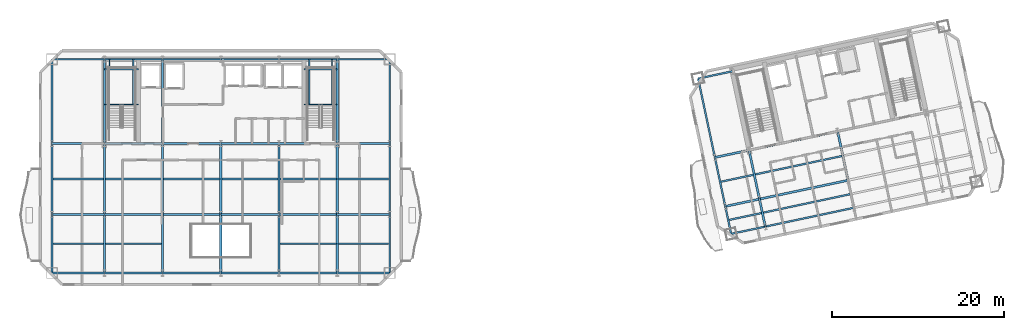
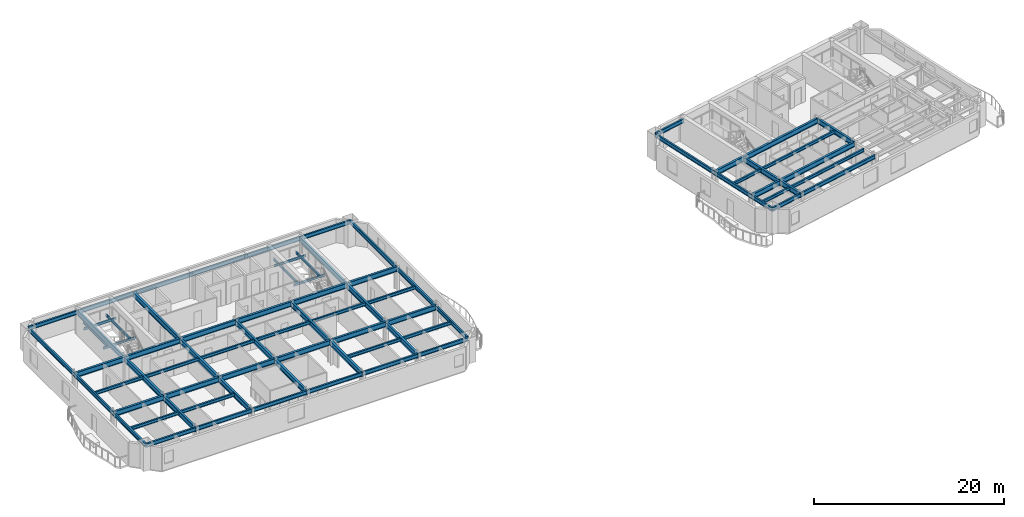
# One storey, part 3 of 14: 78 beams.
"""IFC4 building model written with IfcOpenShell, lengths in metres."""

from ifc_helpers import new_model, si_unit, direction, frame, origin, origin_2d, place, context, subcontext, project, spatial, i_section, extrude, material, material_profile, profile_set, type_object, element, save


model = new_model("IFC4")

# Units and contexts
model_context = context("Model", 3, precision=1e-05, world=origin(), true_north=direction((0.0, 1.0)))
body_context = subcontext(model_context, "Body", "Model", "MODEL_VIEW")
ifc_project = project(units=[si_unit("LENGTHUNIT", "METRE"), si_unit("AREAUNIT", "SQUARE_METRE"), si_unit("VOLUMEUNIT", "CUBIC_METRE"), si_unit("PLANEANGLEUNIT", "RADIAN"), si_unit("MASSUNIT", "GRAM", prefix="KILO")], contexts=[model_context])

# Site, building, storey
site_placement = place(None, origin())
site = spatial("IfcSite", under=ifc_project, at=site_placement, CompositionType="ELEMENT")
building_placement = place(site_placement, origin())
building = spatial("IfcBuilding", under=site, at=building_placement, Name="Haevon Station Towers", CompositionType="ELEMENT")
storey_placement = place(building_placement, frame((0.0, 0.0, 169.199951171875)))
storey = spatial("IfcBuildingStorey", under=building, at=storey_placement, Name="L46", CompositionType="ELEMENT", Elevation=169.199951171875)

# Beams
ifc_material = material(Name="Steel S355", Category="steel")
ifc_material_profile_1 = material_profile(ifc_material, i_section(OverallWidth=0.25, OverallDepth=0.64990234375, WebThickness=0.012939453125, FlangeThickness=0.02197265625, at=origin_2d()), Name="H-650x250x13x22")
ifc_profile_set_1 = profile_set([ifc_material_profile_1], Name="Steel S355")
beam_type_1 = type_object("IfcBeamType", Name="BM-G650", PredefinedType="BEAM", material=ifc_profile_set_1)
beam_1_placement = place(storey_placement, frame((17.925048828125, 30.0, 2.72509765625), z_axis=(1.0, 0.0, 0.0), x_axis=(0.0, 1.0, 0.0)))
element("IfcBeam", 1, at=beam_1_placement, inside=storey, type_object=beam_type_1, Name="BM-T1U-L46-02-01", PredefinedType="BEAM", context=body_context, shape_type="SweptSolid", body=[
    extrude(i_section(OverallWidth=0.25, OverallDepth=0.64990234375, WebThickness=0.012939453125, FlangeThickness=0.02197265625, at=origin_2d()), origin(), (0.0, 0.0, 1.0), 6.074951171875),
])
for number, where, z_axis, x_axis, name in (
    (2, (24.0, 30.0, 2.72509765625), (1.0, 0.0, 0.0), (0.0, 1.0, 0.0), "BM-T1U-L46-02-02"),
    (3, (30.75, 30.0, 2.72509765625), (1.0, 0.0, 0.0), (0.0, 1.0, 0.0), "BM-T1U-L46-02-03"),
    (4, (37.5, 30.0, 2.72509765625), (1.0, 0.0, 0.0), (0.0, 1.0, 0.0), "BM-T1U-L46-02-04"),
    (5, (44.25, 30.0, 2.72509765625), (1.0, 0.0, 0.0), (0.0, 1.0, 0.0), "BM-T1U-L46-02-05"),
):
    element("IfcBeam", number, at=place(storey_placement, frame(where, z_axis=z_axis, x_axis=x_axis)), inside=storey, type_object=beam_type_1, Name=name, PredefinedType="BEAM", context=body_context, shape_type="SweptSolid", body=[
        extrude(i_section(OverallWidth=0.25, OverallDepth=0.64990234375, WebThickness=0.012939453125, FlangeThickness=0.02197265625, at=origin_2d()), origin(), (0.0, 0.0, 1.0), 6.75),
    ])
for number, where, z_axis, x_axis, name in (
    (6, (51.0, 30.0, 2.72509765625), (1.0, 0.0, 0.0), (0.0, 1.0, 0.0), "BM-T1U-L46-02-06"),
    (7, (17.925048828125, 38.199951171875, 2.72509765625), (1.0, 0.0, 0.0), (0.0, 1.0, 0.0), "BM-T1U-L46-03-01"),
):
    element("IfcBeam", number, at=place(storey_placement, frame(where, z_axis=z_axis, x_axis=x_axis)), inside=storey, type_object=beam_type_1, Name=name, PredefinedType="BEAM", context=body_context, shape_type="SweptSolid", body=[
        extrude(i_section(OverallWidth=0.25, OverallDepth=0.64990234375, WebThickness=0.012939453125, FlangeThickness=0.02197265625, at=origin_2d()), origin(), (0.0, 0.0, 1.0), 6.074951171875),
    ])
for number, where, z_axis, x_axis, name in (
    (8, (24.0, 38.199951171875, 2.72509765625), (1.0, 0.0, 0.0), (0.0, 1.0, 0.0), "BM-T1U-L46-03-02"),
    (9, (30.75, 38.199951171875, 2.72509765625), (1.0, 0.0, 0.0), (0.0, 1.0, 0.0), "BM-T1U-L46-03-03"),
    (10, (37.5, 38.199951171875, 2.72509765625), (1.0, 0.0, 0.0), (0.0, 1.0, 0.0), "BM-T1U-L46-03-04"),
    (11, (44.25, 38.199951171875, 2.72509765625), (1.0, 0.0, 0.0), (0.0, 1.0, 0.0), "BM-T1U-L46-03-05"),
):
    element("IfcBeam", number, at=place(storey_placement, frame(where, z_axis=z_axis, x_axis=x_axis)), inside=storey, type_object=beam_type_1, Name=name, PredefinedType="BEAM", context=body_context, shape_type="SweptSolid", body=[
        extrude(i_section(OverallWidth=0.25, OverallDepth=0.64990234375, WebThickness=0.012939453125, FlangeThickness=0.02197265625, at=origin_2d()), origin(), (0.0, 0.0, 1.0), 6.75),
    ])
beam_2_placement = place(storey_placement, frame((51.0, 38.199951171875, 2.72509765625), z_axis=(1.0, 0.0, 0.0), x_axis=(0.0, 1.0, 0.0)))
element("IfcBeam", 12, at=beam_2_placement, inside=storey, type_object=beam_type_1, Name="BM-T1U-L46-03-06", PredefinedType="BEAM", context=body_context, shape_type="SweptSolid", body=[
    extrude(i_section(OverallWidth=0.25, OverallDepth=0.64990234375, WebThickness=0.012939453125, FlangeThickness=0.02197265625, at=origin_2d()), origin(), (0.0, 0.0, 1.0), 6.074951171875),
])
beam_3_placement = place(storey_placement, frame((24.0, 23.199951171875, 2.72509765625), z_axis=(0.0, 1.0, 0.0), x_axis=(-1.0, 0.0, 0.0)))
element("IfcBeam", 13, at=beam_3_placement, inside=storey, type_object=beam_type_1, Name="BM-T1V-L46-02-01", PredefinedType="BEAM", context=body_context, shape_type="SweptSolid", body=[
    extrude(i_section(OverallWidth=0.25, OverallDepth=0.64990234375, WebThickness=0.012939453125, FlangeThickness=0.02197265625, at=origin_2d()), origin(), (0.0, 0.0, 1.0), 6.800048828125),
])
beam_4_placement = place(storey_placement, frame((24.0, 30.0, 2.72509765625), z_axis=(0.0, 1.0, 0.0), x_axis=(-1.0, 0.0, 0.0)))
element("IfcBeam", 14, at=beam_4_placement, inside=storey, type_object=beam_type_1, Name="BM-T1V-L46-02-02", PredefinedType="BEAM", context=body_context, shape_type="SweptSolid", body=[
    extrude(i_section(OverallWidth=0.25, OverallDepth=0.64990234375, WebThickness=0.012939453125, FlangeThickness=0.02197265625, at=origin_2d()), origin(), (0.0, 0.0, 1.0), 8.199951171875),
])
beam_5_placement = place(storey_placement, frame((24.0, 38.199951171875, 2.72509765625), z_axis=(0.0, 1.0, 0.0), x_axis=(-1.0, 0.0, 0.0)))
element("IfcBeam", 15, at=beam_5_placement, inside=storey, type_object=beam_type_1, Name="BM-T1V-L46-02-03", PredefinedType="BEAM", context=body_context, shape_type="SweptSolid", body=[
    extrude(i_section(OverallWidth=0.25, OverallDepth=0.64990234375, WebThickness=0.012939453125, FlangeThickness=0.02197265625, at=origin_2d()), origin(), (0.0, 0.0, 1.0), 9.800048828125),
])
beam_6_placement = place(storey_placement, frame((30.75, 23.199951171875, 2.72509765625), z_axis=(0.0, 1.0, 0.0), x_axis=(-1.0, 0.0, 0.0)))
element("IfcBeam", 16, at=beam_6_placement, inside=storey, type_object=beam_type_1, Name="BM-T1V-L46-03-01", PredefinedType="BEAM", context=body_context, shape_type="SweptSolid", body=[
    extrude(i_section(OverallWidth=0.25, OverallDepth=0.64990234375, WebThickness=0.012939453125, FlangeThickness=0.02197265625, at=origin_2d()), origin(), (0.0, 0.0, 1.0), 6.800048828125),
])
beam_7_placement = place(storey_placement, frame((30.75, 30.0, 2.72509765625), z_axis=(0.0, 1.0, 0.0), x_axis=(-1.0, 0.0, 0.0)))
element("IfcBeam", 17, at=beam_7_placement, inside=storey, type_object=beam_type_1, Name="BM-T1V-L46-03-02", PredefinedType="BEAM", context=body_context, shape_type="SweptSolid", body=[
    extrude(i_section(OverallWidth=0.25, OverallDepth=0.64990234375, WebThickness=0.012939453125, FlangeThickness=0.02197265625, at=origin_2d()), origin(), (0.0, 0.0, 1.0), 8.199951171875),
])
beam_8_placement = place(storey_placement, frame((30.75, 38.199951171875, 2.72509765625), z_axis=(0.0, 1.0, 0.0), x_axis=(-1.0, 0.0, 0.0)))
element("IfcBeam", 18, at=beam_8_placement, inside=storey, type_object=beam_type_1, Name="BM-T1V-L46-03-03", PredefinedType="BEAM", context=body_context, shape_type="SweptSolid", body=[
    extrude(i_section(OverallWidth=0.25, OverallDepth=0.64990234375, WebThickness=0.012939453125, FlangeThickness=0.02197265625, at=origin_2d()), origin(), (0.0, 0.0, 1.0), 9.800048828125),
])
beam_9_placement = place(storey_placement, frame((37.5, 23.199951171875, 2.72509765625), z_axis=(0.0, 1.0, 0.0), x_axis=(-1.0, 0.0, 0.0)))
element("IfcBeam", 19, at=beam_9_placement, inside=storey, type_object=beam_type_1, Name="BM-T1V-L46-04-01", PredefinedType="BEAM", context=body_context, shape_type="SweptSolid", body=[
    extrude(i_section(OverallWidth=0.25, OverallDepth=0.64990234375, WebThickness=0.012939453125, FlangeThickness=0.02197265625, at=origin_2d()), origin(), (0.0, 0.0, 1.0), 6.800048828125),
])
beam_10_placement = place(storey_placement, frame((37.5, 30.0, 2.72509765625), z_axis=(0.0, 1.0, 0.0), x_axis=(-1.0, 0.0, 0.0)))
element("IfcBeam", 20, at=beam_10_placement, inside=storey, type_object=beam_type_1, Name="BM-T1V-L46-04-02", PredefinedType="BEAM", context=body_context, shape_type="SweptSolid", body=[
    extrude(i_section(OverallWidth=0.25, OverallDepth=0.64990234375, WebThickness=0.012939453125, FlangeThickness=0.02197265625, at=origin_2d()), origin(), (0.0, 0.0, 1.0), 8.199951171875),
])
beam_11_placement = place(storey_placement, frame((44.25, 23.199951171875, 2.72509765625), z_axis=(0.0, 1.0, 0.0), x_axis=(-1.0, 0.0, 0.0)))
element("IfcBeam", 21, at=beam_11_placement, inside=storey, type_object=beam_type_1, Name="BM-T1V-L46-05-01", PredefinedType="BEAM", context=body_context, shape_type="SweptSolid", body=[
    extrude(i_section(OverallWidth=0.25, OverallDepth=0.64990234375, WebThickness=0.012939453125, FlangeThickness=0.02197265625, at=origin_2d()), origin(), (0.0, 0.0, 1.0), 6.800048828125),
])
beam_12_placement = place(storey_placement, frame((44.25, 30.0, 2.72509765625), z_axis=(0.0, 1.0, 0.0), x_axis=(-1.0, 0.0, 0.0)))
element("IfcBeam", 22, at=beam_12_placement, inside=storey, type_object=beam_type_1, Name="BM-T1V-L46-05-02", PredefinedType="BEAM", context=body_context, shape_type="SweptSolid", body=[
    extrude(i_section(OverallWidth=0.25, OverallDepth=0.64990234375, WebThickness=0.012939453125, FlangeThickness=0.02197265625, at=origin_2d()), origin(), (0.0, 0.0, 1.0), 8.199951171875),
])
beam_13_placement = place(storey_placement, frame((51.0, 23.199951171875, 2.72509765625), z_axis=(0.0, 1.0, 0.0), x_axis=(-1.0, 0.0, 0.0)))
element("IfcBeam", 23, at=beam_13_placement, inside=storey, type_object=beam_type_1, Name="BM-T1V-L46-06-01", PredefinedType="BEAM", context=body_context, shape_type="SweptSolid", body=[
    extrude(i_section(OverallWidth=0.25, OverallDepth=0.64990234375, WebThickness=0.012939453125, FlangeThickness=0.02197265625, at=origin_2d()), origin(), (0.0, 0.0, 1.0), 6.800048828125),
])
beam_14_placement = place(storey_placement, frame((51.0, 30.0, 2.72509765625), z_axis=(0.0, 1.0, 0.0), x_axis=(-1.0, 0.0, 0.0)))
element("IfcBeam", 24, at=beam_14_placement, inside=storey, type_object=beam_type_1, Name="BM-T1V-L46-06-02", PredefinedType="BEAM", context=body_context, shape_type="SweptSolid", body=[
    extrude(i_section(OverallWidth=0.25, OverallDepth=0.64990234375, WebThickness=0.012939453125, FlangeThickness=0.02197265625, at=origin_2d()), origin(), (0.0, 0.0, 1.0), 8.199951171875),
])
beam_15_placement = place(storey_placement, frame((51.0, 38.199951171875, 2.72509765625), z_axis=(0.0, 1.0, 0.0), x_axis=(-1.0, 0.0, 0.0)))
element("IfcBeam", 25, at=beam_15_placement, inside=storey, type_object=beam_type_1, Name="BM-T1V-L46-06-03", PredefinedType="BEAM", context=body_context, shape_type="SweptSolid", body=[
    extrude(i_section(OverallWidth=0.25, OverallDepth=0.64990234375, WebThickness=0.012939453125, FlangeThickness=0.02197265625, at=origin_2d()), origin(), (0.0, 0.0, 1.0), 9.800048828125),
])
beam_16_placement = place(storey_placement, frame((95.996826171875, 30.927001953125, 2.72509765625), z_axis=(0.978146899108, 0.207914991681, 0.0), x_axis=(-0.207914991681, 0.978146899108, 0.0)))
element("IfcBeam", 26, at=beam_16_placement, inside=storey, type_object=beam_type_1, Name="BM-T2U-L46-02-01", PredefinedType="BEAM", context=body_context, shape_type="SweptSolid", body=[
    extrude(i_section(OverallWidth=0.25, OverallDepth=0.64990234375, WebThickness=0.012939453125, FlangeThickness=0.02197265625, at=origin_2d()), origin(), (0.0, 0.0, 1.0), 4.050048828125),
])
beam_17_placement = place(storey_placement, frame((99.958251953125, 31.76904296875, 2.72509765625), z_axis=(0.978146794194, 0.207915485254, 0.0), x_axis=(-0.207915485254, 0.978146794194, 0.0)))
element("IfcBeam", 27, at=beam_17_placement, inside=storey, type_object=beam_type_1, Name="BM-T2U-L46-02-02", PredefinedType="BEAM", context=body_context, shape_type="SweptSolid", body=[
    extrude(i_section(OverallWidth=0.25, OverallDepth=0.64990234375, WebThickness=0.012939453125, FlangeThickness=0.02197265625, at=origin_2d()), origin(), (0.0, 0.0, 1.0), 10.5),
])
beam_18_placement = place(storey_placement, frame((94.790771484375, 36.600341796875, 2.72509765625), z_axis=(0.978149504816, 0.207902732613, 0.0), x_axis=(-0.207902732613, 0.978149504816, 0.0)))
element("IfcBeam", 28, at=beam_18_placement, inside=storey, type_object=beam_type_1, Name="BM-T2U-L46-03-01", PredefinedType="BEAM", context=body_context, shape_type="SweptSolid", body=[
    extrude(i_section(OverallWidth=0.25, OverallDepth=0.64990234375, WebThickness=0.012939453125, FlangeThickness=0.02197265625, at=origin_2d()), origin(), (0.0, 0.0, 1.0), 4.050048828125),
])
beam_19_placement = place(storey_placement, frame((98.75244140625, 37.4423828125, 2.72509765625), z_axis=(0.978146794194, 0.207915485254, 0.0), x_axis=(-0.207915485254, 0.978146794194, 0.0)))
element("IfcBeam", 29, at=beam_19_placement, inside=storey, type_object=beam_type_1, Name="BM-T2U-L46-03-02", PredefinedType="BEAM", context=body_context, shape_type="SweptSolid", body=[
    extrude(i_section(OverallWidth=0.25, OverallDepth=0.64990234375, WebThickness=0.012939453125, FlangeThickness=0.02197265625, at=origin_2d()), origin(), (0.0, 0.0, 1.0), 10.5),
])
beam_20_placement = place(storey_placement, frame((100.635986328125, 28.580322265625, 2.72509765625), z_axis=(-0.207897270364, 0.978150665785, 0.0), x_axis=(-0.978150665785, -0.207897270364, 0.0)))
element("IfcBeam", 30, at=beam_20_placement, inside=storey, type_object=beam_type_1, Name="BM-T2V-L46-02-01", PredefinedType="BEAM", context=body_context, shape_type="SweptSolid", body=[
    extrude(i_section(OverallWidth=0.25, OverallDepth=0.64990234375, WebThickness=0.012939453125, FlangeThickness=0.02197265625, at=origin_2d()), origin(), (0.0, 0.0, 1.0), 3.260009765625),
])
for number, where, z_axis, x_axis, name in (
    (31, (99.958251953125, 31.76904296875, 2.72509765625), (-0.207896009217, 0.97815093383, 0.0), (-0.97815093383, -0.207896009217, 0.0), "BM-T2V-L46-02-02"),
    (32, (110.228759765625, 33.9521484375, 2.72509765625), (-0.207896009217, 0.97815093383, 0.0), (-0.97815093383, -0.207896009217, 0.0), "BM-T2V-L46-03-02"),
):
    element("IfcBeam", number, at=place(storey_placement, frame(where, z_axis=z_axis, x_axis=x_axis)), inside=storey, type_object=beam_type_1, Name=name, PredefinedType="BEAM", context=body_context, shape_type="SweptSolid", body=[
        extrude(i_section(OverallWidth=0.25, OverallDepth=0.64990234375, WebThickness=0.012939453125, FlangeThickness=0.02197265625, at=origin_2d()), origin(), (0.0, 0.0, 1.0), 5.800048828125),
    ])
ifc_material_profile_2 = material_profile(ifc_material, i_section(OverallWidth=0.199951171875, OverallDepth=0.39990234375, WebThickness=0.008056640625, FlangeThickness=0.012939453125, at=origin_2d()), Name="H-400x200x8x13")
ifc_profile_set_2 = profile_set([ifc_material_profile_2], Name="Steel S355")
beam_type_2 = type_object("IfcBeamType", Name="BM-J400", PredefinedType="JOIST", material=ifc_profile_set_2)
beam_21_placement = place(storey_placement, frame((18.034912109375, 26.60009765625, 2.85009765625), z_axis=(1.0, 0.0, 0.0), x_axis=(0.0, 1.0, 0.0)))
element("IfcBeam", 33, at=beam_21_placement, inside=storey, type_object=beam_type_2, Name="BM-T1J-L46-01-01", PredefinedType="JOIST", context=body_context, shape_type="SweptSolid", body=[
    extrude(i_section(OverallWidth=0.199951171875, OverallDepth=0.39990234375, WebThickness=0.008056640625, FlangeThickness=0.012939453125, at=origin_2d()), origin(), (0.0, 0.0, 1.0), 5.85498046875),
])
for number, where, z_axis, x_axis, name in (
    (34, (24.110107421875, 26.60009765625, 2.85009765625), (1.0, 0.0, 0.0), (0.0, 1.0, 0.0), "BM-T1J-L46-01-02"),
    (35, (44.360107421875, 26.60009765625, 2.85009765625), (1.0, 0.0, 0.0), (0.0, 1.0, 0.0), "BM-T1J-L46-01-05"),
):
    element("IfcBeam", number, at=place(storey_placement, frame(where, z_axis=z_axis, x_axis=x_axis)), inside=storey, type_object=beam_type_2, Name=name, PredefinedType="JOIST", context=body_context, shape_type="SweptSolid", body=[
        extrude(i_section(OverallWidth=0.199951171875, OverallDepth=0.39990234375, WebThickness=0.008056640625, FlangeThickness=0.012939453125, at=origin_2d()), origin(), (0.0, 0.0, 1.0), 6.52978515625),
    ])
for number, where, z_axis, x_axis, name in (
    (36, (51.110107421875, 26.60009765625, 2.85009765625), (1.0, 0.0, 0.0), (0.0, 1.0, 0.0), "BM-T1J-L46-01-06"),
    (37, (18.034912109375, 34.10009765625, 2.85009765625), (1.0, 0.0, 0.0), (0.0, 1.0, 0.0), "BM-T1J-L46-02-01"),
):
    element("IfcBeam", number, at=place(storey_placement, frame(where, z_axis=z_axis, x_axis=x_axis)), inside=storey, type_object=beam_type_2, Name=name, PredefinedType="JOIST", context=body_context, shape_type="SweptSolid", body=[
        extrude(i_section(OverallWidth=0.199951171875, OverallDepth=0.39990234375, WebThickness=0.008056640625, FlangeThickness=0.012939453125, at=origin_2d()), origin(), (0.0, 0.0, 1.0), 5.85498046875),
    ])
for number, where, z_axis, x_axis, name in (
    (38, (24.110107421875, 34.10009765625, 2.85009765625), (1.0, 0.0, 0.0), (0.0, 1.0, 0.0), "BM-T1J-L46-02-02"),
    (39, (30.860107421875, 34.10009765625, 2.85009765625), (1.0, 0.0, 0.0), (0.0, 1.0, 0.0), "BM-T1J-L46-02-03"),
    (40, (37.610107421875, 34.10009765625, 2.85009765625), (1.0, 0.0, 0.0), (0.0, 1.0, 0.0), "BM-T1J-L46-02-04"),
    (41, (44.360107421875, 34.10009765625, 2.85009765625), (1.0, 0.0, 0.0), (0.0, 1.0, 0.0), "BM-T1J-L46-02-05"),
):
    element("IfcBeam", number, at=place(storey_placement, frame(where, z_axis=z_axis, x_axis=x_axis)), inside=storey, type_object=beam_type_2, Name=name, PredefinedType="JOIST", context=body_context, shape_type="SweptSolid", body=[
        extrude(i_section(OverallWidth=0.199951171875, OverallDepth=0.39990234375, WebThickness=0.008056640625, FlangeThickness=0.012939453125, at=origin_2d()), origin(), (0.0, 0.0, 1.0), 6.52978515625),
    ])
beam_22_placement = place(storey_placement, frame((51.110107421875, 34.10009765625, 2.85009765625), z_axis=(1.0, 0.0, 0.0), x_axis=(0.0, 1.0, 0.0)))
element("IfcBeam", 42, at=beam_22_placement, inside=storey, type_object=beam_type_2, Name="BM-T1J-L46-02-06", PredefinedType="JOIST", context=body_context, shape_type="SweptSolid", body=[
    extrude(i_section(OverallWidth=0.199951171875, OverallDepth=0.39990234375, WebThickness=0.008056640625, FlangeThickness=0.012939453125, at=origin_2d()), origin(), (0.0, 0.0, 1.0), 5.85498046875),
])
beam_23_placement = place(storey_placement, frame((96.443115234375, 29.355712890625, 2.85009765625), z_axis=(0.978156420772, 0.207870191472, 0.0), x_axis=(-0.207870191472, 0.978156420772, 0.0)))
element("IfcBeam", 43, at=beam_23_placement, inside=storey, type_object=beam_type_2, Name="BM-T2J-L46-01-01", PredefinedType="JOIST", context=body_context, shape_type="SweptSolid", body=[
    extrude(i_section(OverallWidth=0.199951171875, OverallDepth=0.39990234375, WebThickness=0.008056640625, FlangeThickness=0.012939453125, at=origin_2d()), origin(), (0.0, 0.0, 1.0), 3.830078125),
])
beam_24_placement = place(storey_placement, frame((100.40478515625, 30.19775390625, 2.85009765625), z_axis=(0.978150339653, 0.207898804801, 0.0), x_axis=(-0.207898804801, 0.978150339653, 0.0)))
element("IfcBeam", 44, at=beam_24_placement, inside=storey, type_object=beam_type_2, Name="BM-T2J-L46-01-02", PredefinedType="JOIST", context=body_context, shape_type="SweptSolid", body=[
    extrude(i_section(OverallWidth=0.199951171875, OverallDepth=0.39990234375, WebThickness=0.008056640625, FlangeThickness=0.012939453125, at=origin_2d()), origin(), (0.0, 0.0, 1.0), 10.280029296875),
])
beam_25_placement = place(storey_placement, frame((95.50146484375, 33.78662109375, 2.85009765625), z_axis=(0.97814345794, 0.207931180176, 0.0), x_axis=(-0.207931180176, 0.97814345794, 0.0)))
element("IfcBeam", 45, at=beam_25_placement, inside=storey, type_object=beam_type_2, Name="BM-T2J-L46-02-01", PredefinedType="JOIST", context=body_context, shape_type="SweptSolid", body=[
    extrude(i_section(OverallWidth=0.199951171875, OverallDepth=0.39990234375, WebThickness=0.008056640625, FlangeThickness=0.012939453125, at=origin_2d()), origin(), (0.0, 0.0, 1.0), 3.830078125),
])
beam_26_placement = place(storey_placement, frame((99.462890625, 34.628662109375, 2.85009765625), z_axis=(0.978150339653, 0.207898804801, 0.0), x_axis=(-0.207898804801, 0.978150339653, 0.0)))
element("IfcBeam", 46, at=beam_26_placement, inside=storey, type_object=beam_type_2, Name="BM-T2J-L46-02-02", PredefinedType="JOIST", context=body_context, shape_type="SweptSolid", body=[
    extrude(i_section(OverallWidth=0.199951171875, OverallDepth=0.39990234375, WebThickness=0.008056640625, FlangeThickness=0.012939453125, at=origin_2d()), origin(), (0.0, 0.0, 1.0), 10.280029296875),
])
ifc_material_profile_3 = material_profile(ifc_material, i_section(OverallWidth=0.14990234375, OverallDepth=0.300048828125, WebThickness=0.006591796875, FlangeThickness=0.009033203125, at=origin_2d()), Name="H-300x150x6.5x9")
ifc_profile_set_3 = profile_set([ifc_material_profile_3], Name="Steel S355")
beam_type_3 = type_object("IfcBeamType", Name="BM-LIN300", PredefinedType="LINTEL", material=ifc_profile_set_3)
for number, where, z_axis, x_axis, name in (
    (47, (24.0, 42.743896484375, 1.300048828125), (1.0, 0.0, 0.0), (0.0, 1.0, 0.0), "BM-ST1L-L46-1-S"),
    (48, (24.0, 46.820068359375, 1.300048828125), (1.0, 0.0, 0.0), (0.0, 1.0, 0.0), "BM-ST1L-L46-1-N"),
):
    element("IfcBeam", number, at=place(storey_placement, frame(where, z_axis=z_axis, x_axis=x_axis)), inside=storey, type_object=beam_type_3, Name=name, PredefinedType="LINTEL", context=body_context, shape_type="SweptSolid", body=[
        extrude(i_section(OverallWidth=0.14990234375, OverallDepth=0.300048828125, WebThickness=0.006591796875, FlangeThickness=0.009033203125, at=origin_2d()), origin(), (0.0, 0.0, 1.0), 3.949951171875),
    ])
for number, where, z_axis, x_axis, name in (
    (49, (24.60009765625, 42.743896484375, 1.300048828125), (0.0, 1.0, 0.0), (-1.0, 0.0, 0.0), "BM-ST1L-L46-1-W"),
    (50, (27.35009765625, 42.743896484375, 1.300048828125), (0.0, 1.0, 0.0), (-1.0, 0.0, 0.0), "BM-ST1L-L46-1-E"),
):
    element("IfcBeam", number, at=place(storey_placement, frame(where, z_axis=z_axis, x_axis=x_axis)), inside=storey, type_object=beam_type_3, Name=name, PredefinedType="LINTEL", context=body_context, shape_type="SweptSolid", body=[
        extrude(i_section(OverallWidth=0.14990234375, OverallDepth=0.300048828125, WebThickness=0.006591796875, FlangeThickness=0.009033203125, at=origin_2d()), origin(), (0.0, 0.0, 1.0), 5.256103515625),
    ])
for number, where, z_axis, x_axis, name in (
    (51, (47.14990234375, 42.743896484375, 1.300048828125), (1.0, 0.0, 0.0), (0.0, 1.0, 0.0), "BM-ST2L-L46-1-S"),
    (52, (47.14990234375, 46.820068359375, 1.300048828125), (1.0, 0.0, 0.0), (0.0, 1.0, 0.0), "BM-ST2L-L46-1-N"),
):
    element("IfcBeam", number, at=place(storey_placement, frame(where, z_axis=z_axis, x_axis=x_axis)), inside=storey, type_object=beam_type_3, Name=name, PredefinedType="LINTEL", context=body_context, shape_type="SweptSolid", body=[
        extrude(i_section(OverallWidth=0.14990234375, OverallDepth=0.300048828125, WebThickness=0.006591796875, FlangeThickness=0.009033203125, at=origin_2d()), origin(), (0.0, 0.0, 1.0), 3.85009765625),
    ])
for number, where, z_axis, x_axis, name in (
    (53, (47.75, 42.743896484375, 1.300048828125), (0.0, 1.0, 0.0), (-1.0, 0.0, 0.0), "BM-ST2L-L46-1-W"),
    (54, (50.39990234375, 42.743896484375, 1.300048828125), (0.0, 1.0, 0.0), (-1.0, 0.0, 0.0), "BM-ST2L-L46-1-E"),
):
    element("IfcBeam", number, at=place(storey_placement, frame(where, z_axis=z_axis, x_axis=x_axis)), inside=storey, type_object=beam_type_3, Name=name, PredefinedType="LINTEL", context=body_context, shape_type="SweptSolid", body=[
        extrude(i_section(OverallWidth=0.14990234375, OverallDepth=0.300048828125, WebThickness=0.006591796875, FlangeThickness=0.009033203125, at=origin_2d()), origin(), (0.0, 0.0, 1.0), 5.256103515625),
    ])
ifc_material_profile_4 = material_profile(ifc_material, i_section(OverallWidth=0.199951171875, OverallDepth=0.5, WebThickness=0.010009765625, FlangeThickness=0.01611328125, at=origin_2d()), Name="H-500x200x10x16")
ifc_profile_set_4 = profile_set([ifc_material_profile_4], Name="Steel S355")
beam_type_4 = type_object("IfcBeamType", Name="BM-SP500", PredefinedType="SPANDREL", material=ifc_profile_set_4)
beam_27_placement = place(storey_placement, frame((17.925048828125, 23.199951171875, 2.800048828125), z_axis=(1.0, 0.0, 0.0), x_axis=(0.0, 1.0, 0.0)))
element("IfcBeam", 55, at=beam_27_placement, inside=storey, type_object=beam_type_4, Name="BM-T1U-L46-01-01", PredefinedType="SPANDREL", context=body_context, shape_type="SweptSolid", body=[
    extrude(i_section(OverallWidth=0.199951171875, OverallDepth=0.5, WebThickness=0.010009765625, FlangeThickness=0.01611328125, at=origin_2d()), origin(), (0.0, 0.0, 1.0), 6.074951171875),
])
for number, where, z_axis, x_axis, name in (
    (56, (24.0, 23.199951171875, 2.800048828125), (1.0, 0.0, 0.0), (0.0, 1.0, 0.0), "BM-T1U-L46-01-02"),
    (57, (30.75, 23.199951171875, 2.800048828125), (1.0, 0.0, 0.0), (0.0, 1.0, 0.0), "BM-T1U-L46-01-03"),
    (58, (37.5, 23.199951171875, 2.800048828125), (1.0, 0.0, 0.0), (0.0, 1.0, 0.0), "BM-T1U-L46-01-04"),
    (59, (44.25, 23.199951171875, 2.800048828125), (1.0, 0.0, 0.0), (0.0, 1.0, 0.0), "BM-T1U-L46-01-05"),
):
    element("IfcBeam", number, at=place(storey_placement, frame(where, z_axis=z_axis, x_axis=x_axis)), inside=storey, type_object=beam_type_4, Name=name, PredefinedType="SPANDREL", context=body_context, shape_type="SweptSolid", body=[
        extrude(i_section(OverallWidth=0.199951171875, OverallDepth=0.5, WebThickness=0.010009765625, FlangeThickness=0.01611328125, at=origin_2d()), origin(), (0.0, 0.0, 1.0), 6.75),
    ])
for number, where, z_axis, x_axis, name in (
    (60, (51.0, 23.199951171875, 2.800048828125), (1.0, 0.0, 0.0), (0.0, 1.0, 0.0), "BM-T1U-L46-01-06"),
    (61, (17.925048828125, 48.0, 2.800048828125), (1.0, 0.0, 0.0), (0.0, 1.0, 0.0), "BM-T1U-L46-04-01"),
):
    element("IfcBeam", number, at=place(storey_placement, frame(where, z_axis=z_axis, x_axis=x_axis)), inside=storey, type_object=beam_type_4, Name=name, PredefinedType="SPANDREL", context=body_context, shape_type="SweptSolid", body=[
        extrude(i_section(OverallWidth=0.199951171875, OverallDepth=0.5, WebThickness=0.010009765625, FlangeThickness=0.01611328125, at=origin_2d()), origin(), (0.0, 0.0, 1.0), 6.074951171875),
    ])
for number, where, z_axis, x_axis, name in (
    (62, (24.0, 48.0, 2.800048828125), (1.0, 0.0, 0.0), (0.0, 1.0, 0.0), "BM-T1U-L46-04-02"),
    (63, (30.75, 48.0, 2.800048828125), (1.0, 0.0, 0.0), (0.0, 1.0, 0.0), "BM-T1U-L46-04-03"),
    (64, (37.5, 48.0, 2.800048828125), (1.0, 0.0, 0.0), (0.0, 1.0, 0.0), "BM-T1U-L46-04-04"),
    (65, (44.25, 48.0, 2.800048828125), (1.0, 0.0, 0.0), (0.0, 1.0, 0.0), "BM-T1U-L46-04-05"),
):
    element("IfcBeam", number, at=place(storey_placement, frame(where, z_axis=z_axis, x_axis=x_axis)), inside=storey, type_object=beam_type_4, Name=name, PredefinedType="SPANDREL", context=body_context, shape_type="SweptSolid", body=[
        extrude(i_section(OverallWidth=0.199951171875, OverallDepth=0.5, WebThickness=0.010009765625, FlangeThickness=0.01611328125, at=origin_2d()), origin(), (0.0, 0.0, 1.0), 6.75),
    ])
beam_28_placement = place(storey_placement, frame((51.0, 48.0, 2.800048828125), z_axis=(1.0, 0.0, 0.0), x_axis=(0.0, 1.0, 0.0)))
element("IfcBeam", 66, at=beam_28_placement, inside=storey, type_object=beam_type_4, Name="BM-T1U-L46-04-06", PredefinedType="SPANDREL", context=body_context, shape_type="SweptSolid", body=[
    extrude(i_section(OverallWidth=0.199951171875, OverallDepth=0.5, WebThickness=0.010009765625, FlangeThickness=0.01611328125, at=origin_2d()), origin(), (0.0, 0.0, 1.0), 6.074951171875),
])
beam_29_placement = place(storey_placement, frame((17.925048828125, 23.199951171875, 2.800048828125), z_axis=(0.0, 1.0, 0.0), x_axis=(-1.0, 0.0, 0.0)))
element("IfcBeam", 67, at=beam_29_placement, inside=storey, type_object=beam_type_4, Name="BM-T1V-L46-01-01", PredefinedType="SPANDREL", context=body_context, shape_type="SweptSolid", body=[
    extrude(i_section(OverallWidth=0.199951171875, OverallDepth=0.5, WebThickness=0.010009765625, FlangeThickness=0.01611328125, at=origin_2d()), origin(), (0.0, 0.0, 1.0), 6.800048828125),
])
beam_30_placement = place(storey_placement, frame((17.925048828125, 30.0, 2.800048828125), z_axis=(0.0, 1.0, 0.0), x_axis=(-1.0, 0.0, 0.0)))
element("IfcBeam", 68, at=beam_30_placement, inside=storey, type_object=beam_type_4, Name="BM-T1V-L46-01-02", PredefinedType="SPANDREL", context=body_context, shape_type="SweptSolid", body=[
    extrude(i_section(OverallWidth=0.199951171875, OverallDepth=0.5, WebThickness=0.010009765625, FlangeThickness=0.01611328125, at=origin_2d()), origin(), (0.0, 0.0, 1.0), 8.199951171875),
])
beam_31_placement = place(storey_placement, frame((17.925048828125, 38.199951171875, 2.800048828125), z_axis=(0.0, 1.0, 0.0), x_axis=(-1.0, 0.0, 0.0)))
element("IfcBeam", 69, at=beam_31_placement, inside=storey, type_object=beam_type_4, Name="BM-T1V-L46-01-03", PredefinedType="SPANDREL", context=body_context, shape_type="SweptSolid", body=[
    extrude(i_section(OverallWidth=0.199951171875, OverallDepth=0.5, WebThickness=0.010009765625, FlangeThickness=0.01611328125, at=origin_2d()), origin(), (0.0, 0.0, 1.0), 9.800048828125),
])
beam_32_placement = place(storey_placement, frame((57.074951171875, 23.199951171875, 2.800048828125), z_axis=(0.0, 1.0, 0.0), x_axis=(-1.0, 0.0, 0.0)))
element("IfcBeam", 70, at=beam_32_placement, inside=storey, type_object=beam_type_4, Name="BM-T1V-L46-07-01", PredefinedType="SPANDREL", context=body_context, shape_type="SweptSolid", body=[
    extrude(i_section(OverallWidth=0.199951171875, OverallDepth=0.5, WebThickness=0.010009765625, FlangeThickness=0.01611328125, at=origin_2d()), origin(), (0.0, 0.0, 1.0), 6.800048828125),
])
beam_33_placement = place(storey_placement, frame((57.074951171875, 30.0, 2.800048828125), z_axis=(0.0, 1.0, 0.0), x_axis=(-1.0, 0.0, 0.0)))
element("IfcBeam", 71, at=beam_33_placement, inside=storey, type_object=beam_type_4, Name="BM-T1V-L46-07-02", PredefinedType="SPANDREL", context=body_context, shape_type="SweptSolid", body=[
    extrude(i_section(OverallWidth=0.199951171875, OverallDepth=0.5, WebThickness=0.010009765625, FlangeThickness=0.01611328125, at=origin_2d()), origin(), (0.0, 0.0, 1.0), 8.199951171875),
])
beam_34_placement = place(storey_placement, frame((57.074951171875, 38.199951171875, 2.800048828125), z_axis=(0.0, 1.0, 0.0), x_axis=(-1.0, 0.0, 0.0)))
element("IfcBeam", 72, at=beam_34_placement, inside=storey, type_object=beam_type_4, Name="BM-T1V-L46-07-03", PredefinedType="SPANDREL", context=body_context, shape_type="SweptSolid", body=[
    extrude(i_section(OverallWidth=0.199951171875, OverallDepth=0.5, WebThickness=0.010009765625, FlangeThickness=0.01611328125, at=origin_2d()), origin(), (0.0, 0.0, 1.0), 9.800048828125),
])
beam_35_placement = place(storey_placement, frame((96.674560546875, 27.73828125, 2.800048828125), z_axis=(0.978146899108, 0.207914991681, 0.0), x_axis=(-0.207914991681, 0.978146899108, 0.0)))
element("IfcBeam", 73, at=beam_35_placement, inside=storey, type_object=beam_type_4, Name="BM-T2U-L46-01-01", PredefinedType="SPANDREL", context=body_context, shape_type="SweptSolid", body=[
    extrude(i_section(OverallWidth=0.199951171875, OverallDepth=0.5, WebThickness=0.010009765625, FlangeThickness=0.01611328125, at=origin_2d()), origin(), (0.0, 0.0, 1.0), 4.050048828125),
])
beam_36_placement = place(storey_placement, frame((100.635986328125, 28.580322265625, 2.800048828125), z_axis=(0.978146794194, 0.207915485254, 0.0), x_axis=(-0.207915485254, 0.978146794194, 0.0)))
element("IfcBeam", 74, at=beam_36_placement, inside=storey, type_object=beam_type_4, Name="BM-T2U-L46-01-02", PredefinedType="SPANDREL", context=body_context, shape_type="SweptSolid", body=[
    extrude(i_section(OverallWidth=0.199951171875, OverallDepth=0.5, WebThickness=0.010009765625, FlangeThickness=0.01611328125, at=origin_2d()), origin(), (0.0, 0.0, 1.0), 10.5),
])
beam_37_placement = place(storey_placement, frame((92.846923828125, 45.74609375, 2.800048828125), z_axis=(0.978146899108, 0.207914991681, 0.0), x_axis=(-0.207914991681, 0.978146899108, 0.0)))
element("IfcBeam", 75, at=beam_37_placement, inside=storey, type_object=beam_type_4, Name="BM-T2U-L46-04-01", PredefinedType="SPANDREL", context=body_context, shape_type="SweptSolid", body=[
    extrude(i_section(OverallWidth=0.199951171875, OverallDepth=0.5, WebThickness=0.010009765625, FlangeThickness=0.01611328125, at=origin_2d()), origin(), (0.0, 0.0, 1.0), 4.050048828125),
])
beam_38_placement = place(storey_placement, frame((96.674560546875, 27.73828125, 2.800048828125), z_axis=(-0.207897270364, 0.978150665785, 0.0), x_axis=(-0.978150665785, -0.207897270364, 0.0)))
element("IfcBeam", 76, at=beam_38_placement, inside=storey, type_object=beam_type_4, Name="BM-T2V-L46-01-01", PredefinedType="SPANDREL", context=body_context, shape_type="SweptSolid", body=[
    extrude(i_section(OverallWidth=0.199951171875, OverallDepth=0.5, WebThickness=0.010009765625, FlangeThickness=0.01611328125, at=origin_2d()), origin(), (0.0, 0.0, 1.0), 3.260009765625),
])
beam_39_placement = place(storey_placement, frame((95.996826171875, 30.927001953125, 2.800048828125), z_axis=(-0.207936282142, 0.978142373363, 0.0), x_axis=(-0.978142373363, -0.207936282142, 0.0)))
element("IfcBeam", 77, at=beam_39_placement, inside=storey, type_object=beam_type_4, Name="BM-T2V-L46-01-02", PredefinedType="SPANDREL", context=body_context, shape_type="SweptSolid", body=[
    extrude(i_section(OverallWidth=0.199951171875, OverallDepth=0.5, WebThickness=0.010009765625, FlangeThickness=0.01611328125, at=origin_2d()), origin(), (0.0, 0.0, 1.0), 5.800048828125),
])
beam_40_placement = place(storey_placement, frame((94.790771484375, 36.600341796875, 2.800048828125), z_axis=(-0.207897167074, 0.978150687738, 0.0), x_axis=(-0.978150687738, -0.207897167074, 0.0)))
element("IfcBeam", 78, at=beam_40_placement, inside=storey, type_object=beam_type_4, Name="BM-T2V-L46-01-03", PredefinedType="SPANDREL", context=body_context, shape_type="SweptSolid", body=[
    extrude(i_section(OverallWidth=0.199951171875, OverallDepth=0.5, WebThickness=0.010009765625, FlangeThickness=0.01611328125, at=origin_2d()), origin(), (0.0, 0.0, 1.0), 9.35009765625),
])

save(model, "model.ifc")
